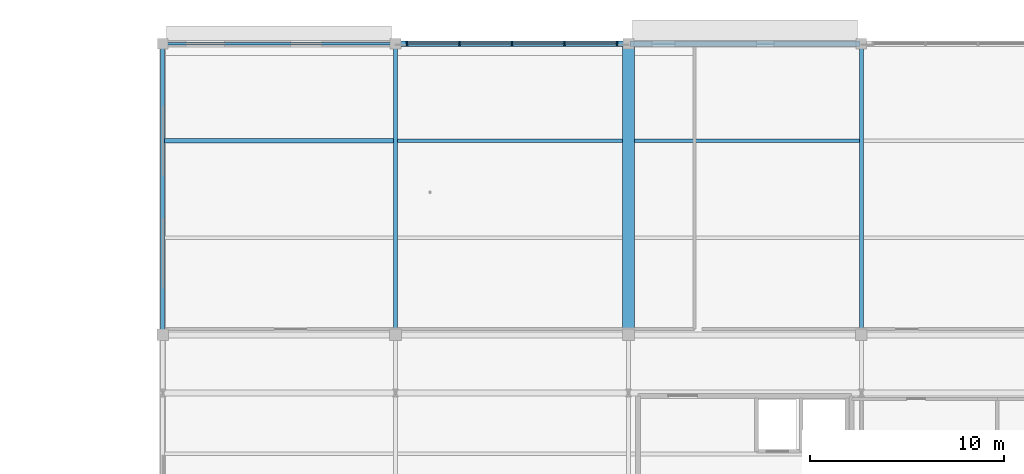
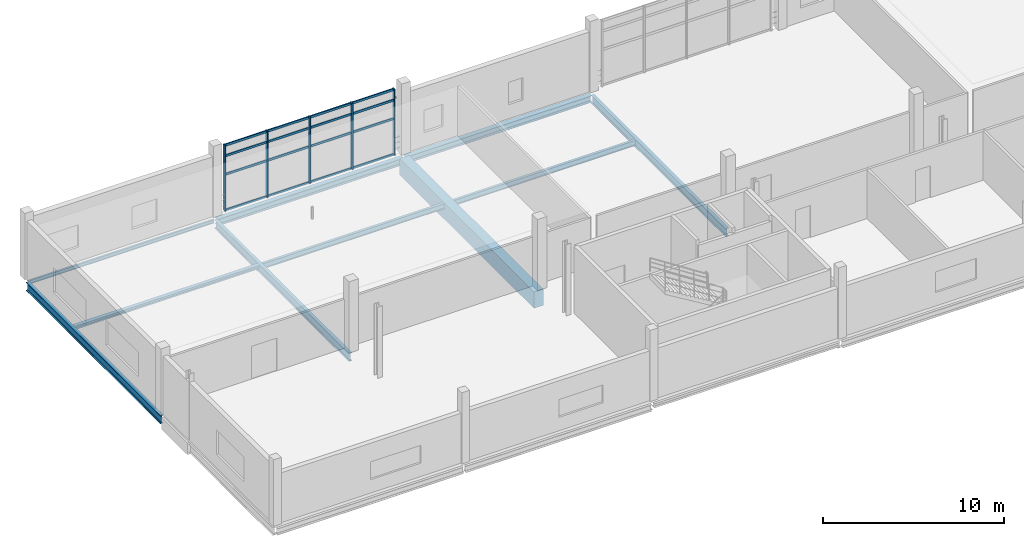
# One storey, part 26 of 52: 21 members, 10 beams, 1 element without a shape of its own.
"""IFC4 building model written with IfcOpenShell, lengths in metres."""

from ifc_helpers import new_model, si_unit, direction, frame, origin, origin_2d, place, context, subcontext, project, spatial, rectangle, i_section, extrude, material, material_profile, profile_set, type_object, element, aggregate, save


model = new_model("IFC4")

# Units and contexts
model_context = context("Model", 3, precision=1e-05, world=origin(), true_north=direction((0.0, 1.0)))
body_context = subcontext(model_context, "Body", "Model", "MODEL_VIEW")
ifc_project = project(units=[si_unit("LENGTHUNIT", "METRE"), si_unit("AREAUNIT", "SQUARE_METRE"), si_unit("VOLUMEUNIT", "CUBIC_METRE"), si_unit("PLANEANGLEUNIT", "RADIAN"), si_unit("MASSUNIT", "GRAM", prefix="KILO"), si_unit("THERMODYNAMICTEMPERATUREUNIT", "KELVIN"), si_unit("POWERUNIT", "WATT")], contexts=[model_context])

# Site, building, storey
site_placement = place(None, origin())
site = spatial("IfcSite", under=ifc_project, at=site_placement, CompositionType="ELEMENT")
building_placement = place(site_placement, origin())
building = spatial("IfcBuilding", under=site, at=building_placement, Name="Solmara Park Aquatics Centre", CompositionType="ELEMENT")
storey_placement = place(building_placement, frame((0.0, 0.0, 9.60009765625)))
storey = spatial("IfcBuildingStorey", under=building, at=storey_placement, Name="L02", CompositionType="ELEMENT", Elevation=9.60009765625)

# Curtain wall, members
ifc_material_1 = material(Name="Anodised Aluminium Curtain Wall Framing", Category="aluminium")
curtain_wall_type = type_object("IfcCurtainWallType", Name="ARC-CW-SYS04", PredefinedType="USERDEFINED", material=ifc_material_1)
curtain_wall_placement = place(storey_placement, origin())
curtain_wall = element("IfcCurtainWall", 1, at=curtain_wall_placement, inside=storey, type_object=curtain_wall_type, Name="Curtain Wall CW-124", ObjectType="CURTAIN WALL", PredefinedType="USERDEFINED")
ifc_material_2 = material(Name="Anodised Aluminium Alloy 6063-T6", Category="aluminium")
ifc_material_profile_1 = material_profile(ifc_material_2, rectangle(XDim=0.074951171875, YDim=0.219970703125, at=origin_2d()), Name="ALU MULLION 75x220")
ifc_profile_set_1 = profile_set([ifc_material_profile_1], Name="Anodised Aluminium Alloy 6063-T6")
member_type_1 = type_object("IfcMemberType", Name="ARC-CWM-75x220", PredefinedType="MULLION", material=ifc_profile_set_1)
member_1_placement = place(storey_placement, frame((37.199951171875, 136.0, 0.0), z_axis=(0.0, 0.0, 1.0), x_axis=(1.0, 0.0, 0.0)))
member_1 = element("IfcMember", 2, at=member_1_placement, type_object=member_type_1, Name="CW-124 mullion 1", PredefinedType="MULLION", context=body_context, shape_type="SweptSolid", body=[
    extrude(rectangle(XDim=0.074951171875, YDim=0.219970703125, at=origin_2d()), origin(), (0.0, 0.0, 1.0), 4.449951171875),
])
member_2_placement = place(storey_placement, frame((39.89990234375, 136.0, 0.0), z_axis=(0.0, 0.0, 1.0), x_axis=(1.0, 0.0, 0.0)))
member_2 = element("IfcMember", 3, at=member_2_placement, type_object=member_type_1, Name="CW-124 mullion 2", PredefinedType="MULLION", context=body_context, shape_type="SweptSolid", body=[
    extrude(rectangle(XDim=0.074951171875, YDim=0.219970703125, at=origin_2d()), origin(), (0.0, 0.0, 1.0), 4.449951171875),
])
member_3_placement = place(storey_placement, frame((42.60009765625, 136.0, 0.0), z_axis=(0.0, 0.0, 1.0), x_axis=(1.0, 0.0, 0.0)))
member_3 = element("IfcMember", 4, at=member_3_placement, type_object=member_type_1, Name="CW-124 mullion 3", PredefinedType="MULLION", context=body_context, shape_type="SweptSolid", body=[
    extrude(rectangle(XDim=0.074951171875, YDim=0.219970703125, at=origin_2d()), origin(), (0.0, 0.0, 1.0), 4.449951171875),
])
member_4_placement = place(storey_placement, frame((45.300048828125, 136.0, 0.0), z_axis=(0.0, 0.0, 1.0), x_axis=(1.0, 0.0, 0.0)))
member_4 = element("IfcMember", 5, at=member_4_placement, type_object=member_type_1, Name="CW-124 mullion 4", PredefinedType="MULLION", context=body_context, shape_type="SweptSolid", body=[
    extrude(rectangle(XDim=0.074951171875, YDim=0.219970703125, at=origin_2d()), origin(), (0.0, 0.0, 1.0), 4.449951171875),
])
member_5_placement = place(storey_placement, frame((48.0, 136.0, 0.0), z_axis=(0.0, 0.0, 1.0), x_axis=(1.0, 0.0, 0.0)))
member_5 = element("IfcMember", 6, at=member_5_placement, type_object=member_type_1, Name="CW-124 mullion 5", PredefinedType="MULLION", context=body_context, shape_type="SweptSolid", body=[
    extrude(rectangle(XDim=0.074951171875, YDim=0.219970703125, at=origin_2d()), origin(), (0.0, 0.0, 1.0), 4.449951171875),
])
ifc_material_profile_2 = material_profile(ifc_material_2, rectangle(XDim=0.074951171875, YDim=0.14990234375, at=origin_2d()), Name="ALU TRANSOM 75x150")
ifc_profile_set_2 = profile_set([ifc_material_profile_2], Name="Anodised Aluminium Alloy 6063-T6")
member_type_2 = type_object("IfcMemberType", Name="ARC-CWT-75x150", PredefinedType="USERDEFINED", material=ifc_profile_set_2)
member_6_placement = place(storey_placement, frame((37.219970703125, 136.0, 0.039794921875), z_axis=(1.0, 0.0, 0.0), x_axis=(0.0, 1.0, 0.0)))
member_6 = element("IfcMember", 7, at=member_6_placement, type_object=member_type_2, Name="CW-124 transom 1", ObjectType="TRANSOM", PredefinedType="USERDEFINED", context=body_context, shape_type="SweptSolid", body=[
    extrude(rectangle(XDim=0.074951171875, YDim=0.14990234375, at=origin_2d()), origin(), (0.0, 0.0, 1.0), 2.6201171875),
])
member_7_placement = place(storey_placement, frame((37.219970703125, 136.0, 2.449951171875), z_axis=(1.0, 0.0, 0.0), x_axis=(0.0, 1.0, 0.0)))
member_7 = element("IfcMember", 8, at=member_7_placement, type_object=member_type_2, Name="CW-124 transom 2", ObjectType="TRANSOM", PredefinedType="USERDEFINED", context=body_context, shape_type="SweptSolid", body=[
    extrude(rectangle(XDim=0.074951171875, YDim=0.14990234375, at=origin_2d()), origin(), (0.0, 0.0, 1.0), 2.6201171875),
])
member_8_placement = place(storey_placement, frame((37.219970703125, 136.0, 3.699951171875), z_axis=(1.0, 0.0, 0.0), x_axis=(0.0, 1.0, 0.0)))
member_8 = element("IfcMember", 9, at=member_8_placement, type_object=member_type_2, Name="CW-124 transom 3", ObjectType="TRANSOM", PredefinedType="USERDEFINED", context=body_context, shape_type="SweptSolid", body=[
    extrude(rectangle(XDim=0.074951171875, YDim=0.14990234375, at=origin_2d()), origin(), (0.0, 0.0, 1.0), 2.6201171875),
])
member_9_placement = place(storey_placement, frame((37.219970703125, 136.0, 4.409912109375), z_axis=(1.0, 0.0, 0.0), x_axis=(0.0, 1.0, 0.0)))
member_9 = element("IfcMember", 10, at=member_9_placement, type_object=member_type_2, Name="CW-124 transom 4", ObjectType="TRANSOM", PredefinedType="USERDEFINED", context=body_context, shape_type="SweptSolid", body=[
    extrude(rectangle(XDim=0.074951171875, YDim=0.14990234375, at=origin_2d()), origin(), (0.0, 0.0, 1.0), 2.6201171875),
])
member_10_placement = place(storey_placement, frame((39.919921875, 136.0, 0.039794921875), z_axis=(1.0, 0.0, 0.0), x_axis=(0.0, 1.0, 0.0)))
member_10 = element("IfcMember", 11, at=member_10_placement, type_object=member_type_2, Name="CW-124 transom 5", ObjectType="TRANSOM", PredefinedType="USERDEFINED", context=body_context, shape_type="SweptSolid", body=[
    extrude(rectangle(XDim=0.074951171875, YDim=0.14990234375, at=origin_2d()), origin(), (0.0, 0.0, 1.0), 2.6201171875),
])
member_11_placement = place(storey_placement, frame((39.919921875, 136.0, 2.449951171875), z_axis=(1.0, 0.0, 0.0), x_axis=(0.0, 1.0, 0.0)))
member_11 = element("IfcMember", 12, at=member_11_placement, type_object=member_type_2, Name="CW-124 transom 6", ObjectType="TRANSOM", PredefinedType="USERDEFINED", context=body_context, shape_type="SweptSolid", body=[
    extrude(rectangle(XDim=0.074951171875, YDim=0.14990234375, at=origin_2d()), origin(), (0.0, 0.0, 1.0), 2.6201171875),
])
member_12_placement = place(storey_placement, frame((39.919921875, 136.0, 3.699951171875), z_axis=(1.0, 0.0, 0.0), x_axis=(0.0, 1.0, 0.0)))
member_12 = element("IfcMember", 13, at=member_12_placement, type_object=member_type_2, Name="CW-124 transom 7", ObjectType="TRANSOM", PredefinedType="USERDEFINED", context=body_context, shape_type="SweptSolid", body=[
    extrude(rectangle(XDim=0.074951171875, YDim=0.14990234375, at=origin_2d()), origin(), (0.0, 0.0, 1.0), 2.6201171875),
])
member_13_placement = place(storey_placement, frame((39.919921875, 136.0, 4.409912109375), z_axis=(1.0, 0.0, 0.0), x_axis=(0.0, 1.0, 0.0)))
member_13 = element("IfcMember", 14, at=member_13_placement, type_object=member_type_2, Name="CW-124 transom 8", ObjectType="TRANSOM", PredefinedType="USERDEFINED", context=body_context, shape_type="SweptSolid", body=[
    extrude(rectangle(XDim=0.074951171875, YDim=0.14990234375, at=origin_2d()), origin(), (0.0, 0.0, 1.0), 2.6201171875),
])
member_14_placement = place(storey_placement, frame((42.6201171875, 136.0, 0.039794921875), z_axis=(1.0, 0.0, 0.0), x_axis=(0.0, 1.0, 0.0)))
member_14 = element("IfcMember", 15, at=member_14_placement, type_object=member_type_2, Name="CW-124 transom 9", ObjectType="TRANSOM", PredefinedType="USERDEFINED", context=body_context, shape_type="SweptSolid", body=[
    extrude(rectangle(XDim=0.074951171875, YDim=0.14990234375, at=origin_2d()), origin(), (0.0, 0.0, 1.0), 2.619873046875),
])
member_15_placement = place(storey_placement, frame((42.6201171875, 136.0, 2.449951171875), z_axis=(1.0, 0.0, 0.0), x_axis=(0.0, 1.0, 0.0)))
member_15 = element("IfcMember", 16, at=member_15_placement, type_object=member_type_2, Name="CW-124 transom 10", ObjectType="TRANSOM", PredefinedType="USERDEFINED", context=body_context, shape_type="SweptSolid", body=[
    extrude(rectangle(XDim=0.074951171875, YDim=0.14990234375, at=origin_2d()), origin(), (0.0, 0.0, 1.0), 2.619873046875),
])
member_16_placement = place(storey_placement, frame((42.6201171875, 136.0, 3.699951171875), z_axis=(1.0, 0.0, 0.0), x_axis=(0.0, 1.0, 0.0)))
member_16 = element("IfcMember", 17, at=member_16_placement, type_object=member_type_2, Name="CW-124 transom 11", ObjectType="TRANSOM", PredefinedType="USERDEFINED", context=body_context, shape_type="SweptSolid", body=[
    extrude(rectangle(XDim=0.074951171875, YDim=0.14990234375, at=origin_2d()), origin(), (0.0, 0.0, 1.0), 2.619873046875),
])
member_17_placement = place(storey_placement, frame((42.6201171875, 136.0, 4.409912109375), z_axis=(1.0, 0.0, 0.0), x_axis=(0.0, 1.0, 0.0)))
member_17 = element("IfcMember", 18, at=member_17_placement, type_object=member_type_2, Name="CW-124 transom 12", ObjectType="TRANSOM", PredefinedType="USERDEFINED", context=body_context, shape_type="SweptSolid", body=[
    extrude(rectangle(XDim=0.074951171875, YDim=0.14990234375, at=origin_2d()), origin(), (0.0, 0.0, 1.0), 2.619873046875),
])
member_18_placement = place(storey_placement, frame((45.320068359375, 136.0, 0.039794921875), z_axis=(1.0, 0.0, 0.0), x_axis=(0.0, 1.0, 0.0)))
member_18 = element("IfcMember", 19, at=member_18_placement, type_object=member_type_2, Name="CW-124 transom 13", ObjectType="TRANSOM", PredefinedType="USERDEFINED", context=body_context, shape_type="SweptSolid", body=[
    extrude(rectangle(XDim=0.074951171875, YDim=0.14990234375, at=origin_2d()), origin(), (0.0, 0.0, 1.0), 2.619873046875),
])
member_19_placement = place(storey_placement, frame((45.320068359375, 136.0, 2.449951171875), z_axis=(1.0, 0.0, 0.0), x_axis=(0.0, 1.0, 0.0)))
member_19 = element("IfcMember", 20, at=member_19_placement, type_object=member_type_2, Name="CW-124 transom 14", ObjectType="TRANSOM", PredefinedType="USERDEFINED", context=body_context, shape_type="SweptSolid", body=[
    extrude(rectangle(XDim=0.074951171875, YDim=0.14990234375, at=origin_2d()), origin(), (0.0, 0.0, 1.0), 2.619873046875),
])
member_20_placement = place(storey_placement, frame((45.320068359375, 136.0, 3.699951171875), z_axis=(1.0, 0.0, 0.0), x_axis=(0.0, 1.0, 0.0)))
member_20 = element("IfcMember", 21, at=member_20_placement, type_object=member_type_2, Name="CW-124 transom 15", ObjectType="TRANSOM", PredefinedType="USERDEFINED", context=body_context, shape_type="SweptSolid", body=[
    extrude(rectangle(XDim=0.074951171875, YDim=0.14990234375, at=origin_2d()), origin(), (0.0, 0.0, 1.0), 2.619873046875),
])
member_21_placement = place(storey_placement, frame((45.320068359375, 136.0, 4.409912109375), z_axis=(1.0, 0.0, 0.0), x_axis=(0.0, 1.0, 0.0)))
member_21 = element("IfcMember", 22, at=member_21_placement, type_object=member_type_2, Name="CW-124 transom 16", ObjectType="TRANSOM", PredefinedType="USERDEFINED", context=body_context, shape_type="SweptSolid", body=[
    extrude(rectangle(XDim=0.074951171875, YDim=0.14990234375, at=origin_2d()), origin(), (0.0, 0.0, 1.0), 2.619873046875),
])
aggregate(curtain_wall, [member_1, member_2, member_3, member_4, member_5, member_6, member_7, member_8, member_9, member_10, member_11, member_12, member_13, member_14, member_15, member_16, member_17, member_18, member_19, member_20, member_21])

# Beams
ifc_material_3 = material(Name="Structural Steel S355", Category="steel")
ifc_material_profile_3 = material_profile(ifc_material_3, i_section(OverallWidth=0.300048828125, OverallDepth=0.449951171875, WebThickness=0.013916015625, FlangeThickness=0.02587890625, FilletRadius=0.027099609375, at=origin_2d()), Name="HEB 450")
ifc_profile_set_3 = profile_set([ifc_material_profile_3], Name="Structural Steel S355")
beam_type_1 = type_object("IfcBeamType", Name="STR-BM-HEB450", PredefinedType="BEAM", material=ifc_profile_set_3)
for number, where, z_axis, x_axis, name in (
    (23, (36.679931640625, 136.0, -0.545166015625), (1.0, 0.0, 0.0), (0.0, 1.0, 0.0), "Girder BM-L02-0405"),
    (24, (48.679931640625, 136.0, -0.545166015625), (1.0, 0.0, 0.0), (0.0, 1.0, 0.0), "Girder BM-L02-0406"),
):
    element("IfcBeam", number, at=place(storey_placement, frame(where, z_axis=z_axis, x_axis=x_axis)), inside=storey, type_object=beam_type_1, Name=name, PredefinedType="BEAM", context=body_context, shape_type="SweptSolid", body=[
        extrude(i_section(OverallWidth=0.300048828125, OverallDepth=0.449951171875, WebThickness=0.013916015625, FlangeThickness=0.02587890625, FilletRadius=0.027099609375, at=origin_2d()), origin(), (0.0, 0.0, 1.0), 11.840087890625),
    ])
ifc_material_profile_4 = material_profile(ifc_material_3, i_section(OverallWidth=0.2099609375, OverallDepth=0.550048828125, WebThickness=0.010986328125, FlangeThickness=0.01708984375, FilletRadius=0.02392578125, at=origin_2d()), Name="IPE 550")
ifc_profile_set_4 = profile_set([ifc_material_profile_4], Name="Structural Steel S355")
beam_type_2 = type_object("IfcBeamType", Name="STR-BM-IPE550", PredefinedType="BEAM", material=ifc_profile_set_4)
for number, where, z_axis, x_axis, name in (
    (25, (24.60009765625, 121.080078125, -0.59521484375), (0.0, 1.0, 0.0), (-1.0, 0.0, 0.0), "Girder BM-L02-0414"),
    (26, (36.60009765625, 121.080078125, -0.59521484375), (0.0, 1.0, 0.0), (-1.0, 0.0, 0.0), "Girder BM-L02-0417"),
    (27, (60.60009765625, 121.080078125, -0.59521484375), (0.0, 1.0, 0.0), (-1.0, 0.0, 0.0), "Girder BM-L02-0423"),
):
    element("IfcBeam", number, at=place(storey_placement, frame(where, z_axis=z_axis, x_axis=x_axis)), inside=storey, type_object=beam_type_2, Name=name, PredefinedType="BEAM", context=body_context, shape_type="SweptSolid", body=[
        extrude(i_section(OverallWidth=0.2099609375, OverallDepth=0.550048828125, WebThickness=0.010986328125, FlangeThickness=0.01708984375, FilletRadius=0.02392578125, at=origin_2d()), origin(), (0.0, 0.0, 1.0), 14.83984375),
    ])
ifc_material_4 = material(Name="Concrete C40/50", Category="concrete")
ifc_material_profile_5 = material_profile(ifc_material_4, rectangle(XDim=0.60009765625, YDim=1.10009765625, at=origin_2d()), Name="RC 600x1100")
ifc_profile_set_5 = profile_set([ifc_material_profile_5], Name="Concrete C40/50")
beam_type_3 = type_object("IfcBeamType", Name="STR-BM-RC600x1100", PredefinedType="BEAM", material=ifc_profile_set_5)
beam_1_placement = place(storey_placement, frame((48.60009765625, 121.080078125, -0.8701171875), z_axis=(0.0, 1.0, 0.0), x_axis=(-1.0, 0.0, 0.0)))
element("IfcBeam", 28, at=beam_1_placement, inside=storey, type_object=beam_type_3, Name="Girder BM-L02-0420", PredefinedType="BEAM", context=body_context, shape_type="SweptSolid", body=[
    extrude(rectangle(XDim=0.60009765625, YDim=1.10009765625, at=origin_2d()), origin(), (0.0, 0.0, 1.0), 14.83984375),
])
ifc_material_profile_6 = material_profile(ifc_material_3, i_section(OverallWidth=0.239990234375, OverallDepth=0.22998046875, WebThickness=0.007568359375, FlangeThickness=0.011962890625, FilletRadius=0.02099609375, at=origin_2d()), Name="HEA 240")
ifc_profile_set_6 = profile_set([ifc_material_profile_6], Name="Structural Steel S355")
beam_type_4 = type_object("IfcBeamType", Name="STR-JST-HEA240", PredefinedType="JOIST", material=ifc_profile_set_6)
beam_2_placement = place(storey_placement, frame((24.705078125, 131.0, -0.43505859375), z_axis=(1.0, 0.0, 0.0), x_axis=(0.0, 1.0, 0.0)))
element("IfcBeam", 29, at=beam_2_placement, inside=storey, type_object=beam_type_4, Name="Floor Joist JST-L02-0219", PredefinedType="JOIST", context=body_context, shape_type="SweptSolid", body=[
    extrude(i_section(OverallWidth=0.239990234375, OverallDepth=0.22998046875, WebThickness=0.007568359375, FlangeThickness=0.011962890625, FilletRadius=0.02099609375, at=origin_2d()), origin(), (0.0, 0.0, 1.0), 11.7900390625),
])
ifc_material_profile_7 = material_profile(ifc_material_3, i_section(OverallWidth=0.169921875, OverallDepth=0.360107421875, WebThickness=0.008056640625, FlangeThickness=0.0126953125, FilletRadius=0.01806640625, at=origin_2d()), Name="IPE 360")
ifc_profile_set_7 = profile_set([ifc_material_profile_7], Name="Structural Steel S355")
beam_type_5 = type_object("IfcBeamType", Name="STR-JST-IPE360", PredefinedType="JOIST", material=ifc_profile_set_7)
beam_3_placement = place(storey_placement, frame((36.705078125, 131.0, -0.5), z_axis=(1.0, 0.0, 0.0), x_axis=(0.0, 1.0, 0.0)))
element("IfcBeam", 30, at=beam_3_placement, inside=storey, type_object=beam_type_5, Name="Floor Joist JST-L02-0223", PredefinedType="JOIST", context=body_context, shape_type="SweptSolid", body=[
    extrude(i_section(OverallWidth=0.169921875, OverallDepth=0.360107421875, WebThickness=0.008056640625, FlangeThickness=0.0126953125, FilletRadius=0.01806640625, at=origin_2d()), origin(), (0.0, 0.0, 1.0), 11.594970703125),
])
beam_4_placement = place(storey_placement, frame((48.89990234375, 131.0, -0.5), z_axis=(1.0, 0.0, 0.0), x_axis=(0.0, 1.0, 0.0)))
element("IfcBeam", 31, at=beam_4_placement, inside=storey, type_object=beam_type_5, Name="Floor Joist JST-L02-0226", PredefinedType="JOIST", context=body_context, shape_type="SweptSolid", body=[
    extrude(i_section(OverallWidth=0.169921875, OverallDepth=0.360107421875, WebThickness=0.008056640625, FlangeThickness=0.0126953125, FilletRadius=0.01806640625, at=origin_2d()), origin(), (0.0, 0.0, 1.0), 11.59521484375),
])
ifc_material_profile_8 = material_profile(ifc_material_3, i_section(OverallWidth=0.1201171875, OverallDepth=0.239990234375, WebThickness=0.006103515625, FlangeThickness=0.009765625, FilletRadius=0.014892578125, at=origin_2d()), Name="IPE 240")
ifc_profile_set_8 = profile_set([ifc_material_profile_8], Name="Structural Steel S355")
beam_type_6 = type_object("IfcBeamType", Name="STR-SPD-IPE240", PredefinedType="SPANDREL", material=ifc_profile_set_8)
beam_5_placement = place(storey_placement, frame((24.679931640625, 136.0, -0.440185546875), z_axis=(1.0, 0.0, 0.0), x_axis=(0.0, 1.0, 0.0)))
element("IfcBeam", 32, at=beam_5_placement, inside=storey, type_object=beam_type_6, Name="Girder BM-L02-0404", PredefinedType="SPANDREL", context=body_context, shape_type="SweptSolid", body=[
    extrude(i_section(OverallWidth=0.1201171875, OverallDepth=0.239990234375, WebThickness=0.006103515625, FlangeThickness=0.009765625, FilletRadius=0.014892578125, at=origin_2d()), origin(), (0.0, 0.0, 1.0), 11.840087890625),
])

save(model, "model.ifc")
